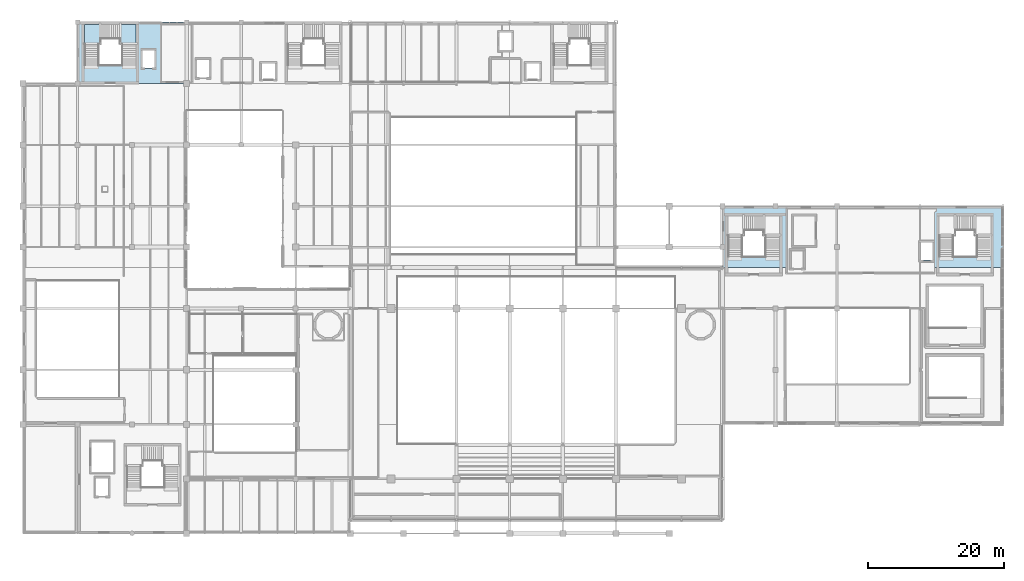
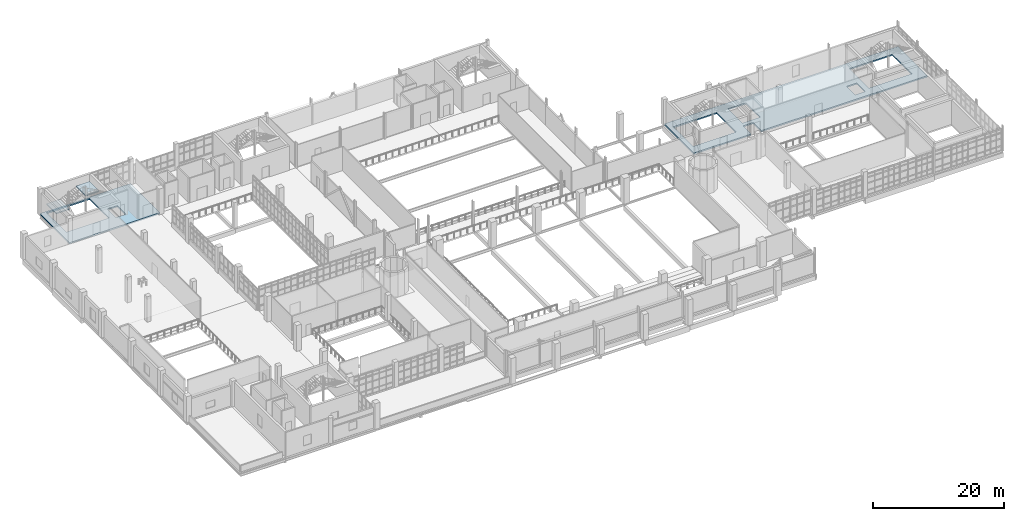
# One storey, part 75 of 102: 4 slabs, 1 element without a shape of its own.
"""IFC4 building model written with IfcOpenShell, lengths in metres."""

from ifc_helpers import new_model, si_unit, derived_unit, direction, frame, origin, place, context, subcontext, project, spatial, polyline, outline, extrude, material, layer, layer_set, type_object, element, aggregate, save


model = new_model("IFC4")

# Units and contexts
model_context = context("Model", 3, precision=1e-05, world=origin(), true_north=direction((0.0, 1.0)))
body_context = subcontext(model_context, "Body", "Model", "MODEL_VIEW")
ifc_project = project(units=[si_unit("LENGTHUNIT", "METRE"), si_unit("AREAUNIT", "SQUARE_METRE"), si_unit("VOLUMEUNIT", "CUBIC_METRE"), si_unit("PLANEANGLEUNIT", "RADIAN"), si_unit("MASSUNIT", "GRAM", prefix="KILO"), derived_unit("THERMALTRANSMITTANCEUNIT", [(si_unit("POWERUNIT", "WATT"), 1), (si_unit("LENGTHUNIT", "METRE"), -2), (si_unit("THERMODYNAMICTEMPERATUREUNIT", "KELVIN"), -1)])], contexts=[model_context])

# Site, building, storey
site_placement = place(None, origin())
site = spatial("IfcSite", under=ifc_project, at=site_placement, CompositionType="ELEMENT")
building_placement = place(site_placement, origin())
building = spatial("IfcBuilding", under=site, at=building_placement, Name="Nallur Shell Playhouse", CompositionType="ELEMENT")
storey_placement = place(building_placement, frame((0.0, 0.0, 15.0)))
storey = spatial("IfcBuildingStorey", under=building, at=storey_placement, Name="L04", CompositionType="ELEMENT", Elevation=15.0)

# Slabs
ifc_material_1 = material(Name="Concrete M30", Category="concrete")
ifc_layer_1 = layer(ifc_material_1, 0.260009765625)
ifc_layer_set_1 = layer_set([ifc_layer_1], Name="Concrete M30")
slab_type_1 = type_object("IfcSlabType", Name="SL-FLOOR-260", PredefinedType="FLOOR", material=ifc_layer_set_1)
slab_1_placement = place(storey_placement, frame((0.0, 0.0, -0.260009765625)))
element("IfcSlab", 1, at=slab_1_placement, inside=storey, type_object=slab_type_1, Name="L04 structural floor slab panel 04", PredefinedType="FLOOR", context=body_context, shape_type="SweptSolid", body=[
    extrude(outline(polyline([(24.0, 83.0), (40.0, 83.0), (40.0, 74.0), (24.0, 74.0), (24.0, 83.0)]), holes=[polyline([(35.300048828125, 78.89990234375), (33.5, 78.89990234375), (33.5, 76.300048828125), (35.300048828125, 76.300048828125), (35.300048828125, 78.89990234375)]), polyline([(32.60009765625, 82.699951171875), (25.0, 82.699951171875), (25.0, 76.699951171875), (32.60009765625, 76.699951171875), (32.60009765625, 82.699951171875)])]), origin(), (0.0, 0.0, 1.0), 0.260009765625),
])
slab_2_placement = place(storey_placement, frame((0.0, 0.0, -0.260009765625)))
element("IfcSlab", 2, at=slab_2_placement, inside=storey, type_object=slab_type_1, Name="L04 structural floor slab panel 18", PredefinedType="FLOOR", context=body_context, shape_type="SweptSolid", body=[
    extrude(outline(polyline([(118.60009765625, 56.0), (159.800048828125, 56.0), (159.800048828125, 47.0), (130.5, 47.0), (130.5, 49.5), (128.699951171875, 49.5), (128.699951171875, 47.0), (118.60009765625, 47.0), (118.60009765625, 56.0)]), holes=[polyline([(147.699951171875, 50.699951171875), (147.699951171875, 48.10009765625), (149.5, 48.10009765625), (149.5, 50.699951171875), (147.699951171875, 50.699951171875)]), polyline([(127.0, 48.60009765625), (127.0, 54.60009765625), (119.39990234375, 54.60009765625), (119.39990234375, 48.60009765625), (127.0, 48.60009765625)]), polyline([(158.0, 48.60009765625), (158.0, 54.60009765625), (150.39990234375, 54.60009765625), (150.39990234375, 48.60009765625), (158.0, 48.60009765625)]), polyline([(129.0, 54.60009765625), (129.0, 50.199951171875), (132.199951171875, 50.199951171875), (132.199951171875, 54.60009765625), (129.0, 54.60009765625)])]), origin(), (0.0, 0.0, 1.0), 0.260009765625),
])

# Stair, slabs
ifc_material_2 = material(Name="Concrete M35", Category="concrete")
stair_type = type_object("IfcStairType", Name="ST-CORE-48", PredefinedType="QUARTER_TURN_STAIR", material=ifc_material_2)
stair_placement = place(storey_placement, origin())
stair = element("IfcStair", 3, at=stair_placement, inside=storey, type_object=stair_type, Name="Core JC-6 exit stair ST-06-L04 (L04 to L05)", PredefinedType="QUARTER_TURN_STAIR")
ifc_layer_2 = layer(ifc_material_2, 0.199951171875)
ifc_layer_set_2 = layer_set([ifc_layer_2], Name="Concrete M35")
slab_type_2 = type_object("IfcSlabType", Name="SL-LANDING-200", PredefinedType="LANDING", material=ifc_layer_set_2)
slab_3_placement = place(storey_placement, frame((0.0, 0.0, 1.449951171875)))
slab_3 = element("IfcSlab", 4, at=slab_3_placement, type_object=slab_type_2, Name="ST-48 landing 1", PredefinedType="LANDING", context=body_context, shape_type="SweptSolid", body=[
    extrude(outline(polyline([(25.0, 79.800048828125), (27.405029296875, 79.800048828125), (27.405029296875, 82.699951171875), (25.0, 82.699951171875), (25.0, 79.800048828125)])), origin(), (0.0, 0.0, 1.0), 0.199951171875),
])
slab_4_placement = place(storey_placement, frame((0.0, 0.0, 2.949951171875)))
slab_4 = element("IfcSlab", 5, at=slab_4_placement, type_object=slab_type_2, Name="ST-48 landing 2", PredefinedType="LANDING", context=body_context, shape_type="SweptSolid", body=[
    extrude(outline(polyline([(30.195068359375, 79.800048828125), (32.60009765625, 79.800048828125), (32.60009765625, 82.699951171875), (30.195068359375, 82.699951171875), (30.195068359375, 79.800048828125)])), origin(), (0.0, 0.0, 1.0), 0.199951171875),
])
aggregate(stair, [slab_3, slab_4])

save(model, "model.ifc")
